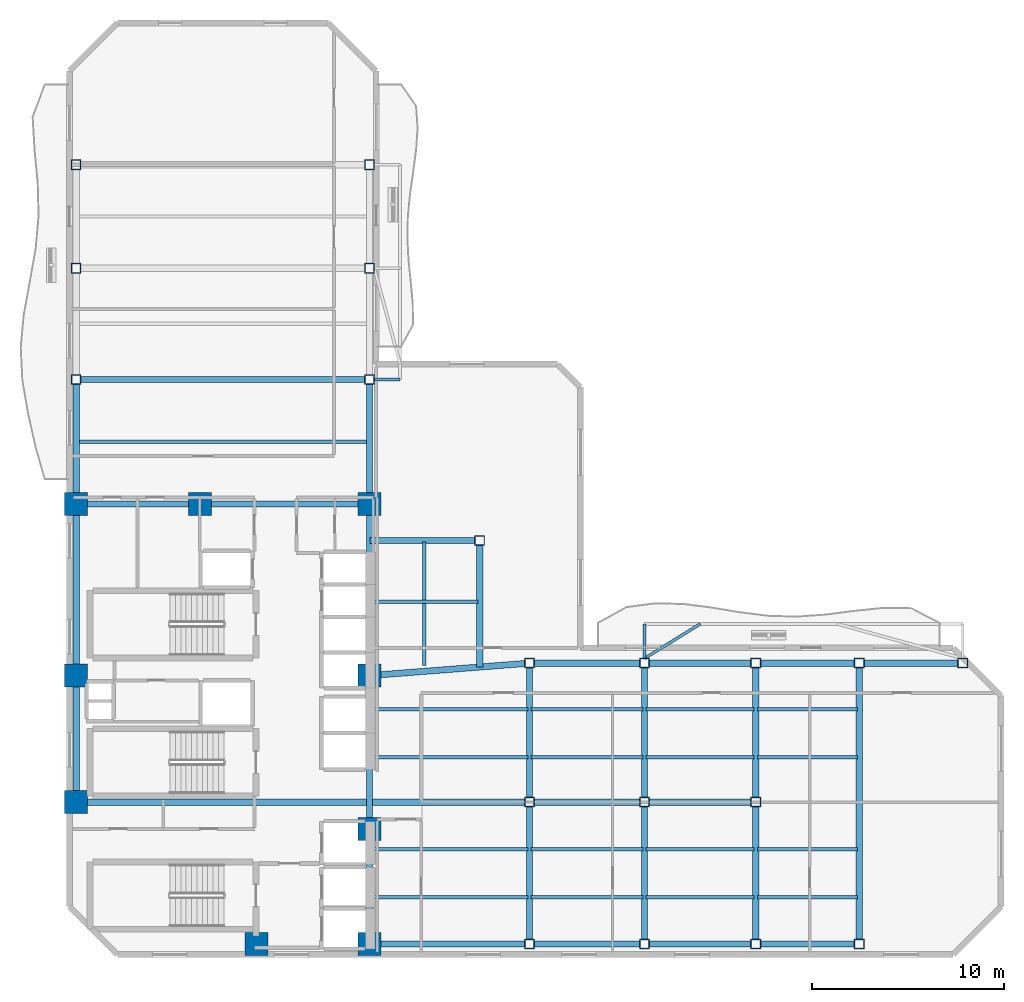
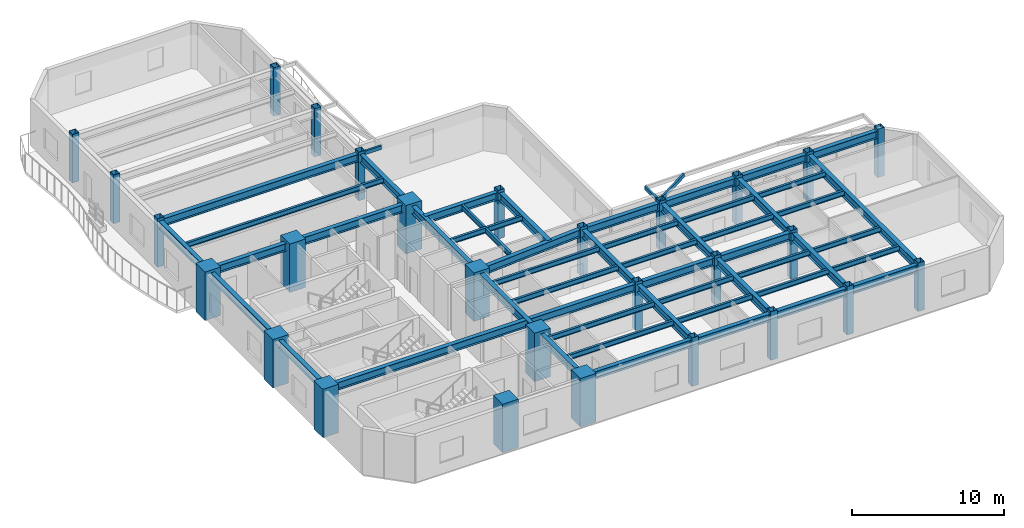
# One storey, part 1 of 9: 53 beams, 28 columns.
"""IFC4 building model written with IfcOpenShell, lengths in metres."""

from ifc_helpers import new_model, si_unit, direction, frame, origin, origin_2d, place, context, subcontext, project, spatial, rectangle, hollow_rectangle, i_section, extrude, material, material_profile, profile_set, type_object, element, save


model = new_model("IFC4")

# Units and contexts
model_context = context("Model", 3, precision=1e-05, world=origin(), true_north=direction((0.0, 1.0)))
body_context = subcontext(model_context, "Body", "Model", "MODEL_VIEW")
ifc_project = project(units=[si_unit("LENGTHUNIT", "METRE"), si_unit("AREAUNIT", "SQUARE_METRE"), si_unit("VOLUMEUNIT", "CUBIC_METRE"), si_unit("PLANEANGLEUNIT", "RADIAN"), si_unit("MASSUNIT", "GRAM", prefix="KILO")], contexts=[model_context])

# Site, building, storey
site_placement = place(None, origin())
site = spatial("IfcSite", under=ifc_project, at=site_placement, CompositionType="ELEMENT")
building_placement = place(site_placement, origin())
building = spatial("IfcBuilding", under=site, at=building_placement, Name="Mawjaban Terraces University", CompositionType="ELEMENT")
storey_placement = place(building_placement, frame((0.0, 0.0, 111.199951171875)))
storey = spatial("IfcBuildingStorey", under=building, at=storey_placement, Name="L26", CompositionType="ELEMENT", Elevation=111.199951171875)

# Columns
ifc_material_1 = material(Name="Concrete C60/75", Category="concrete")
ifc_material_profile_1 = material_profile(ifc_material_1, rectangle(XDim=1.199951171875, YDim=1.199951171875, at=origin_2d()), Name="RC1200X1200")
ifc_profile_set_1 = profile_set([ifc_material_profile_1], Name="Concrete C60/75")
column_type_1 = type_object("IfcColumnType", Name="Col_RC1200X1200", PredefinedType="COLUMN", material=ifc_profile_set_1)
for number, where, z_axis, x_axis, name in (
    (1, (31.75, 0.550048828125, 0.0), (0.0, 0.0, 1.0), (1.0, 0.0, 0.0), "L26 Column CC2"),
    (2, (37.64990234375, 0.550048828125, 0.0), (0.0, 0.0, 1.0), (1.0, 0.0, 0.0), "L26 Column CC3"),
    (3, (22.35009765625, 7.949951171875, 0.0), (0.0, 0.0, 1.0), (1.0, 0.0, 0.0), "L26 Column CC4"),
    (4, (37.64990234375, 6.550048828125, 0.0), (0.0, 0.0, 1.0), (1.0, 0.0, 0.0), "L26 Column CC5"),
    (5, (22.35009765625, 14.550048828125, 0.0), (0.0, 0.0, 1.0), (1.0, 0.0, 0.0), "L26 Column CC6"),
    (6, (37.64990234375, 14.550048828125, 0.0), (0.0, 0.0, 1.0), (1.0, 0.0, 0.0), "L26 Column CC7"),
    (7, (22.35009765625, 23.5, 0.0), (0.0, 0.0, 1.0), (1.0, 0.0, 0.0), "L26 Column CC8"),
    (8, (28.800048828125, 23.5, 0.0), (0.0, 0.0, 1.0), (1.0, 0.0, 0.0), "L26 Column CC9"),
    (9, (37.64990234375, 23.5, 0.0), (0.0, 0.0, 1.0), (1.0, 0.0, 0.0), "L26 Column CC10"),
):
    element("IfcColumn", number, at=place(storey_placement, frame(where, z_axis=z_axis, x_axis=x_axis)), inside=storey, type_object=column_type_1, Name=name, PredefinedType="COLUMN", context=body_context, shape_type="SweptSolid", body=[
        extrude(rectangle(XDim=1.199951171875, YDim=1.199951171875, at=origin_2d()), origin(), (0.0, 0.0, 1.0), 3.900146484375),
    ])
ifc_material_2 = material(Name="Steel EN 10210-1 S355J2H", Category="steel")
ifc_material_profile_2 = material_profile(ifc_material_2, hollow_rectangle(XDim=0.5, YDim=0.5, WallThickness=0.02490234375, at=origin_2d()), Name="SHS500X500X25")
ifc_profile_set_2 = profile_set([ifc_material_profile_2], Name="Steel EN 10210-1 S355J2H")
column_type_2 = type_object("IfcColumnType", Name="Col_SHS500X500X25", PredefinedType="COLUMN", material=ifc_profile_set_2)
for number, where, z_axis, x_axis, name in (
    (10, (46.0, 0.550048828125, 0.0), (0.0, 0.0, 1.0), (1.0, 0.0, 0.0), "L26 Column TE-460-005"),
    (11, (46.0, 7.949951171875, 0.0), (0.0, 0.0, 1.0), (1.0, 0.0, 0.0), "L26 Column TE-460-080"),
    (12, (46.0, 15.199951171875, 0.0), (0.0, 0.0, 1.0), (1.0, 0.0, 0.0), "L26 Column TE-460-152"),
    (13, (52.0, 0.550048828125, 0.0), (0.0, 0.0, 1.0), (1.0, 0.0, 0.0), "L26 Column TE-520-005"),
    (14, (52.0, 7.949951171875, 0.0), (0.0, 0.0, 1.0), (1.0, 0.0, 0.0), "L26 Column TE-520-080"),
    (15, (52.0, 15.199951171875, 0.0), (0.0, 0.0, 1.0), (1.0, 0.0, 0.0), "L26 Column TE-520-152"),
    (16, (57.800048828125, 0.550048828125, 0.0), (0.0, 0.0, 1.0), (1.0, 0.0, 0.0), "L26 Column TE-578-005"),
    (17, (57.800048828125, 7.949951171875, 0.0), (0.0, 0.0, 1.0), (1.0, 0.0, 0.0), "L26 Column TE-578-080"),
    (18, (57.800048828125, 15.199951171875, 0.0), (0.0, 0.0, 1.0), (1.0, 0.0, 0.0), "L26 Column TE-578-152"),
    (19, (63.199951171875, 0.550048828125, 0.0), (0.0, 0.0, 1.0), (1.0, 0.0, 0.0), "L26 Column TE-632-005"),
    (20, (63.199951171875, 15.199951171875, 0.0), (0.0, 0.0, 1.0), (1.0, 0.0, 0.0), "L26 Column TE-632-152"),
    (21, (68.60009765625, 15.199951171875, 0.0), (0.0, 0.0, 1.0), (1.0, 0.0, 0.0), "L26 Column TE-686-152"),
    (22, (22.35009765625, 30.0, 0.0), (0.0, 0.0, 1.0), (1.0, 0.0, 0.0), "L26 Column TN-223-300"),
    (23, (37.64990234375, 30.0, 0.0), (0.0, 0.0, 1.0), (1.0, 0.0, 0.0), "L26 Column TN-376-300"),
    (24, (22.35009765625, 35.800048828125, 0.0), (0.0, 0.0, 1.0), (1.0, 0.0, 0.0), "L26 Column TN-223-358"),
    (25, (37.64990234375, 35.800048828125, 0.0), (0.0, 0.0, 1.0), (1.0, 0.0, 0.0), "L26 Column TN-376-358"),
    (26, (22.35009765625, 41.199951171875, 0.0), (0.0, 0.0, 1.0), (1.0, 0.0, 0.0), "L26 Column TN-223-412"),
    (27, (37.64990234375, 41.199951171875, 0.0), (0.0, 0.0, 1.0), (1.0, 0.0, 0.0), "L26 Column TN-376-412"),
    (28, (43.39990234375, 21.60009765625, 0.0), (0.0, 0.0, 1.0), (1.0, 0.0, 0.0), "L26 Column TS-434-216"),
):
    element("IfcColumn", number, at=place(storey_placement, frame(where, z_axis=z_axis, x_axis=x_axis)), inside=storey, type_object=column_type_2, Name=name, PredefinedType="COLUMN", context=body_context, shape_type="SweptSolid", body=[
        extrude(hollow_rectangle(XDim=0.5, YDim=0.5, WallThickness=0.02490234375, at=origin_2d()), origin(), (0.0, 0.0, 1.0), 3.900146484375),
    ])

# Beams
ifc_material_profile_3 = material_profile(ifc_material_2, hollow_rectangle(XDim=0.14990234375, YDim=0.300048828125, WallThickness=0.012451171875, at=origin_2d()), Name="RHS300X150X12.5")
ifc_profile_set_3 = profile_set([ifc_material_profile_3], Name="Steel EN 10210-1 S355J2H")
beam_type_1 = type_object("IfcBeamType", Name="BalconyCantileverSpandrel_RHS", PredefinedType="SPANDREL", material=ifc_profile_set_3)
beam_1_placement = place(storey_placement, frame((52.0, 15.449951171875, 3.5400390625), z_axis=(0.0, 1.0, 0.0), x_axis=(-1.0, 0.0, 0.0)))
element("IfcBeam", 29, at=beam_1_placement, inside=storey, type_object=beam_type_1, Name="L26 Exterior Outrigger BAL-L27-N.1", PredefinedType="SPANDREL", context=body_context, shape_type="SweptSolid", body=[
    extrude(hollow_rectangle(XDim=0.14990234375, YDim=0.300048828125, WallThickness=0.012451171875, at=origin_2d()), origin(), (0.0, 0.0, 1.0), 1.800048828125),
])
beam_2_placement = place(storey_placement, frame((52.0, 15.449951171875, 3.5400390625), z_axis=(0.850359433477, 0.526202274698, 0.0), x_axis=(-0.526202274698, 0.850359433477, 0.0)))
element("IfcBeam", 30, at=beam_2_placement, inside=storey, type_object=beam_type_1, Name="L26 Exterior Diagonal Strut BAL-L27-N.1", PredefinedType="SPANDREL", context=body_context, shape_type="SweptSolid", body=[
    extrude(hollow_rectangle(XDim=0.14990234375, YDim=0.300048828125, WallThickness=0.012451171875, at=origin_2d()), origin(), (0.0, 0.0, 1.0), 3.4208984375),
])
beam_3_placement = place(storey_placement, frame((37.89990234375, 30.0, 3.5400390625), z_axis=(1.0, 0.0, 0.0), x_axis=(0.0, 1.0, 0.0)))
element("IfcBeam", 31, at=beam_3_placement, inside=storey, type_object=beam_type_1, Name="L26 Exterior Outrigger TER-L27-CLIMB.1", PredefinedType="SPANDREL", context=body_context, shape_type="SweptSolid", body=[
    extrude(hollow_rectangle(XDim=0.14990234375, YDim=0.300048828125, WallThickness=0.012451171875, at=origin_2d()), origin(), (0.0, 0.0, 1.0), 1.35009765625),
])
ifc_material_3 = material(Name="Steel ASTM A572 Grade 50", Category="steel")
ifc_material_profile_4 = material_profile(ifc_material_3, i_section(OverallWidth=0.324951171875, OverallDepth=0.615966796875, WebThickness=0.013916015625, FlangeThickness=0.021484375, at=origin_2d()), Name="W610X174")
ifc_profile_set_4 = profile_set([ifc_material_profile_4], Name="Steel ASTM A572 Grade 50")
beam_type_2 = type_object("IfcBeamType", Name="Beam_B_W610X174", PredefinedType="BEAM", material=ifc_profile_set_4)
beam_4_placement = place(storey_placement, frame((38.25, 0.550048828125, 3.382080078125), z_axis=(1.0, 0.0, 0.0), x_axis=(0.0, 1.0, 0.0)))
element("IfcBeam", 32, at=beam_4_placement, inside=storey, type_object=beam_type_2, Name="L26 Beam BM-L26-EW-01", PredefinedType="BEAM", context=body_context, shape_type="SweptSolid", body=[
    extrude(i_section(OverallWidth=0.324951171875, OverallDepth=0.615966796875, WebThickness=0.013916015625, FlangeThickness=0.021484375, at=origin_2d()), origin(), (0.0, 0.0, 1.0), 7.5),
])
beam_5_placement = place(storey_placement, frame((46.25, 0.550048828125, 3.382080078125), z_axis=(1.0, 0.0, 0.0), x_axis=(0.0, 1.0, 0.0)))
element("IfcBeam", 33, at=beam_5_placement, inside=storey, type_object=beam_type_2, Name="L26 Beam BM-L26-EW-02", PredefinedType="BEAM", context=body_context, shape_type="SweptSolid", body=[
    extrude(i_section(OverallWidth=0.324951171875, OverallDepth=0.615966796875, WebThickness=0.013916015625, FlangeThickness=0.021484375, at=origin_2d()), origin(), (0.0, 0.0, 1.0), 5.5),
])
beam_6_placement = place(storey_placement, frame((52.25, 0.550048828125, 3.382080078125), z_axis=(1.0, 0.0, 0.0), x_axis=(0.0, 1.0, 0.0)))
element("IfcBeam", 34, at=beam_6_placement, inside=storey, type_object=beam_type_2, Name="L26 Beam BM-L26-EW-03", PredefinedType="BEAM", context=body_context, shape_type="SweptSolid", body=[
    extrude(i_section(OverallWidth=0.324951171875, OverallDepth=0.615966796875, WebThickness=0.013916015625, FlangeThickness=0.021484375, at=origin_2d()), origin(), (0.0, 0.0, 1.0), 5.300048828125),
])
beam_7_placement = place(storey_placement, frame((58.050048828125, 0.550048828125, 3.382080078125), z_axis=(1.0, 0.0, 0.0), x_axis=(0.0, 1.0, 0.0)))
element("IfcBeam", 35, at=beam_7_placement, inside=storey, type_object=beam_type_2, Name="L26 Beam BM-L26-EW-04", PredefinedType="BEAM", context=body_context, shape_type="SweptSolid", body=[
    extrude(i_section(OverallWidth=0.324951171875, OverallDepth=0.615966796875, WebThickness=0.013916015625, FlangeThickness=0.021484375, at=origin_2d()), origin(), (0.0, 0.0, 1.0), 4.89990234375),
])
beam_8_placement = place(storey_placement, frame((22.949951171875, 7.949951171875, 3.382080078125), z_axis=(1.0, 0.0, 0.0), x_axis=(0.0, 1.0, 0.0)))
element("IfcBeam", 36, at=beam_8_placement, inside=storey, type_object=beam_type_2, Name="L26 Beam BM-L26-EW-05", PredefinedType="BEAM", context=body_context, shape_type="SweptSolid", body=[
    extrude(i_section(OverallWidth=0.324951171875, OverallDepth=0.615966796875, WebThickness=0.013916015625, FlangeThickness=0.021484375, at=origin_2d()), origin(), (0.0, 0.0, 1.0), 22.800048828125),
])
beam_9_placement = place(storey_placement, frame((46.25, 7.949951171875, 3.382080078125), z_axis=(1.0, 0.0, 0.0), x_axis=(0.0, 1.0, 0.0)))
element("IfcBeam", 37, at=beam_9_placement, inside=storey, type_object=beam_type_2, Name="L26 Beam BM-L26-EW-06", PredefinedType="BEAM", context=body_context, shape_type="SweptSolid", body=[
    extrude(i_section(OverallWidth=0.324951171875, OverallDepth=0.615966796875, WebThickness=0.013916015625, FlangeThickness=0.021484375, at=origin_2d()), origin(), (0.0, 0.0, 1.0), 5.5),
])
beam_10_placement = place(storey_placement, frame((52.25, 7.949951171875, 3.382080078125), z_axis=(1.0, 0.0, 0.0), x_axis=(0.0, 1.0, 0.0)))
element("IfcBeam", 38, at=beam_10_placement, inside=storey, type_object=beam_type_2, Name="L26 Beam BM-L26-EW-07", PredefinedType="BEAM", context=body_context, shape_type="SweptSolid", body=[
    extrude(i_section(OverallWidth=0.324951171875, OverallDepth=0.615966796875, WebThickness=0.013916015625, FlangeThickness=0.021484375, at=origin_2d()), origin(), (0.0, 0.0, 1.0), 5.300048828125),
])
beam_11_placement = place(storey_placement, frame((46.25, 15.199951171875, 3.382080078125), z_axis=(1.0, 0.0, 0.0), x_axis=(0.0, 1.0, 0.0)))
element("IfcBeam", 39, at=beam_11_placement, inside=storey, type_object=beam_type_2, Name="L26 Beam BM-L26-EW-08", PredefinedType="BEAM", context=body_context, shape_type="SweptSolid", body=[
    extrude(i_section(OverallWidth=0.324951171875, OverallDepth=0.615966796875, WebThickness=0.013916015625, FlangeThickness=0.021484375, at=origin_2d()), origin(), (0.0, 0.0, 1.0), 5.5),
])
beam_12_placement = place(storey_placement, frame((52.25, 15.199951171875, 3.382080078125), z_axis=(1.0, 0.0, 0.0), x_axis=(0.0, 1.0, 0.0)))
element("IfcBeam", 40, at=beam_12_placement, inside=storey, type_object=beam_type_2, Name="L26 Beam BM-L26-EW-09", PredefinedType="BEAM", context=body_context, shape_type="SweptSolid", body=[
    extrude(i_section(OverallWidth=0.324951171875, OverallDepth=0.615966796875, WebThickness=0.013916015625, FlangeThickness=0.021484375, at=origin_2d()), origin(), (0.0, 0.0, 1.0), 5.300048828125),
])
beam_13_placement = place(storey_placement, frame((58.050048828125, 15.199951171875, 3.382080078125), z_axis=(1.0, 0.0, 0.0), x_axis=(0.0, 1.0, 0.0)))
element("IfcBeam", 41, at=beam_13_placement, inside=storey, type_object=beam_type_2, Name="L26 Beam BM-L26-EW-10", PredefinedType="BEAM", context=body_context, shape_type="SweptSolid", body=[
    extrude(i_section(OverallWidth=0.324951171875, OverallDepth=0.615966796875, WebThickness=0.013916015625, FlangeThickness=0.021484375, at=origin_2d()), origin(), (0.0, 0.0, 1.0), 4.89990234375),
])
beam_14_placement = place(storey_placement, frame((63.449951171875, 15.199951171875, 3.382080078125), z_axis=(1.0, 0.0, 0.0), x_axis=(0.0, 1.0, 0.0)))
element("IfcBeam", 42, at=beam_14_placement, inside=storey, type_object=beam_type_2, Name="L26 Beam BM-L26-EW-11", PredefinedType="BEAM", context=body_context, shape_type="SweptSolid", body=[
    extrude(i_section(OverallWidth=0.324951171875, OverallDepth=0.615966796875, WebThickness=0.013916015625, FlangeThickness=0.021484375, at=origin_2d()), origin(), (0.0, 0.0, 1.0), 4.900146484375),
])
beam_15_placement = place(storey_placement, frame((22.949951171875, 23.5, 3.382080078125), z_axis=(1.0, 0.0, 0.0), x_axis=(0.0, 1.0, 0.0)))
element("IfcBeam", 43, at=beam_15_placement, inside=storey, type_object=beam_type_2, Name="L26 Beam BM-L26-EW-12", PredefinedType="BEAM", context=body_context, shape_type="SweptSolid", body=[
    extrude(i_section(OverallWidth=0.324951171875, OverallDepth=0.615966796875, WebThickness=0.013916015625, FlangeThickness=0.021484375, at=origin_2d()), origin(), (0.0, 0.0, 1.0), 5.25),
])
beam_16_placement = place(storey_placement, frame((29.39990234375, 23.5, 3.382080078125), z_axis=(1.0, 0.0, 0.0), x_axis=(0.0, 1.0, 0.0)))
element("IfcBeam", 44, at=beam_16_placement, inside=storey, type_object=beam_type_2, Name="L26 Beam BM-L26-EW-13", PredefinedType="BEAM", context=body_context, shape_type="SweptSolid", body=[
    extrude(i_section(OverallWidth=0.324951171875, OverallDepth=0.615966796875, WebThickness=0.013916015625, FlangeThickness=0.021484375, at=origin_2d()), origin(), (0.0, 0.0, 1.0), 7.650146484375),
])
beam_17_placement = place(storey_placement, frame((22.60009765625, 30.0, 3.382080078125), z_axis=(1.0, 0.0, 0.0), x_axis=(0.0, 1.0, 0.0)))
element("IfcBeam", 45, at=beam_17_placement, inside=storey, type_object=beam_type_2, Name="L26 Beam BM-L26-EW-14", PredefinedType="BEAM", context=body_context, shape_type="SweptSolid", body=[
    extrude(i_section(OverallWidth=0.324951171875, OverallDepth=0.615966796875, WebThickness=0.013916015625, FlangeThickness=0.021484375, at=origin_2d()), origin(), (0.0, 0.0, 1.0), 14.7998046875),
])
beam_18_placement = place(storey_placement, frame((22.35009765625, 8.550048828125, 3.382080078125), z_axis=(0.0, 1.0, 0.0), x_axis=(-1.0, 0.0, 0.0)))
element("IfcBeam", 46, at=beam_18_placement, inside=storey, type_object=beam_type_2, Name="L26 Beam BM-L26-NS-01", PredefinedType="BEAM", context=body_context, shape_type="SweptSolid", body=[
    extrude(i_section(OverallWidth=0.324951171875, OverallDepth=0.615966796875, WebThickness=0.013916015625, FlangeThickness=0.021484375, at=origin_2d()), origin(), (0.0, 0.0, 1.0), 5.39990234375),
])
beam_19_placement = place(storey_placement, frame((22.35009765625, 15.14990234375, 3.382080078125), z_axis=(0.0, 1.0, 0.0), x_axis=(-1.0, 0.0, 0.0)))
element("IfcBeam", 47, at=beam_19_placement, inside=storey, type_object=beam_type_2, Name="L26 Beam BM-L26-NS-02", PredefinedType="BEAM", context=body_context, shape_type="SweptSolid", body=[
    extrude(i_section(OverallWidth=0.324951171875, OverallDepth=0.615966796875, WebThickness=0.013916015625, FlangeThickness=0.021484375, at=origin_2d()), origin(), (0.0, 0.0, 1.0), 7.75),
])
beam_20_placement = place(storey_placement, frame((22.35009765625, 24.10009765625, 3.382080078125), z_axis=(0.0, 1.0, 0.0), x_axis=(-1.0, 0.0, 0.0)))
element("IfcBeam", 48, at=beam_20_placement, inside=storey, type_object=beam_type_2, Name="L26 Beam BM-L26-NS-03", PredefinedType="BEAM", context=body_context, shape_type="SweptSolid", body=[
    extrude(i_section(OverallWidth=0.324951171875, OverallDepth=0.615966796875, WebThickness=0.013916015625, FlangeThickness=0.021484375, at=origin_2d()), origin(), (0.0, 0.0, 1.0), 5.64990234375),
])
beam_21_placement = place(storey_placement, frame((37.64990234375, 1.14990234375, 3.382080078125), z_axis=(0.0, 1.0, 0.0), x_axis=(-1.0, 0.0, 0.0)))
element("IfcBeam", 49, at=beam_21_placement, inside=storey, type_object=beam_type_2, Name="L26 Beam BM-L26-NS-06", PredefinedType="BEAM", context=body_context, shape_type="SweptSolid", body=[
    extrude(i_section(OverallWidth=0.324951171875, OverallDepth=0.615966796875, WebThickness=0.013916015625, FlangeThickness=0.021484375, at=origin_2d()), origin(), (0.0, 0.0, 1.0), 4.800048828125),
])
beam_22_placement = place(storey_placement, frame((37.64990234375, 7.14990234375, 3.382080078125), z_axis=(0.0, 1.0, 0.0), x_axis=(-1.0, 0.0, 0.0)))
element("IfcBeam", 50, at=beam_22_placement, inside=storey, type_object=beam_type_2, Name="L26 Beam BM-L26-NS-07", PredefinedType="BEAM", context=body_context, shape_type="SweptSolid", body=[
    extrude(i_section(OverallWidth=0.324951171875, OverallDepth=0.615966796875, WebThickness=0.013916015625, FlangeThickness=0.021484375, at=origin_2d()), origin(), (0.0, 0.0, 1.0), 6.800048828125),
])
beam_23_placement = place(storey_placement, frame((37.64990234375, 15.14990234375, 3.382080078125), z_axis=(0.0, 1.0, 0.0), x_axis=(-1.0, 0.0, 0.0)))
element("IfcBeam", 51, at=beam_23_placement, inside=storey, type_object=beam_type_2, Name="L26 Beam BM-L26-NS-08", PredefinedType="BEAM", context=body_context, shape_type="SweptSolid", body=[
    extrude(i_section(OverallWidth=0.324951171875, OverallDepth=0.615966796875, WebThickness=0.013916015625, FlangeThickness=0.021484375, at=origin_2d()), origin(), (0.0, 0.0, 1.0), 7.75),
])
beam_24_placement = place(storey_placement, frame((37.64990234375, 24.10009765625, 3.382080078125), z_axis=(0.0, 1.0, 0.0), x_axis=(-1.0, 0.0, 0.0)))
element("IfcBeam", 52, at=beam_24_placement, inside=storey, type_object=beam_type_2, Name="L26 Beam BM-L26-NS-09", PredefinedType="BEAM", context=body_context, shape_type="SweptSolid", body=[
    extrude(i_section(OverallWidth=0.324951171875, OverallDepth=0.615966796875, WebThickness=0.013916015625, FlangeThickness=0.021484375, at=origin_2d()), origin(), (0.0, 0.0, 1.0), 5.64990234375),
])
beam_25_placement = place(storey_placement, frame((46.0, 0.800048828125, 3.382080078125), z_axis=(0.0, 1.0, 0.0), x_axis=(-1.0, 0.0, 0.0)))
element("IfcBeam", 53, at=beam_25_placement, inside=storey, type_object=beam_type_2, Name="L26 Beam BM-L26-NS-12", PredefinedType="BEAM", context=body_context, shape_type="SweptSolid", body=[
    extrude(i_section(OverallWidth=0.324951171875, OverallDepth=0.615966796875, WebThickness=0.013916015625, FlangeThickness=0.021484375, at=origin_2d()), origin(), (0.0, 0.0, 1.0), 6.89990234375),
])
beam_26_placement = place(storey_placement, frame((46.0, 8.199951171875, 3.382080078125), z_axis=(0.0, 1.0, 0.0), x_axis=(-1.0, 0.0, 0.0)))
element("IfcBeam", 54, at=beam_26_placement, inside=storey, type_object=beam_type_2, Name="L26 Beam BM-L26-NS-13", PredefinedType="BEAM", context=body_context, shape_type="SweptSolid", body=[
    extrude(i_section(OverallWidth=0.324951171875, OverallDepth=0.615966796875, WebThickness=0.013916015625, FlangeThickness=0.021484375, at=origin_2d()), origin(), (0.0, 0.0, 1.0), 6.75),
])
beam_27_placement = place(storey_placement, frame((52.0, 0.800048828125, 3.382080078125), z_axis=(0.0, 1.0, 0.0), x_axis=(-1.0, 0.0, 0.0)))
element("IfcBeam", 55, at=beam_27_placement, inside=storey, type_object=beam_type_2, Name="L26 Beam BM-L26-NS-14", PredefinedType="BEAM", context=body_context, shape_type="SweptSolid", body=[
    extrude(i_section(OverallWidth=0.324951171875, OverallDepth=0.615966796875, WebThickness=0.013916015625, FlangeThickness=0.021484375, at=origin_2d()), origin(), (0.0, 0.0, 1.0), 6.89990234375),
])
beam_28_placement = place(storey_placement, frame((52.0, 8.199951171875, 3.382080078125), z_axis=(0.0, 1.0, 0.0), x_axis=(-1.0, 0.0, 0.0)))
element("IfcBeam", 56, at=beam_28_placement, inside=storey, type_object=beam_type_2, Name="L26 Beam BM-L26-NS-15", PredefinedType="BEAM", context=body_context, shape_type="SweptSolid", body=[
    extrude(i_section(OverallWidth=0.324951171875, OverallDepth=0.615966796875, WebThickness=0.013916015625, FlangeThickness=0.021484375, at=origin_2d()), origin(), (0.0, 0.0, 1.0), 6.75),
])
beam_29_placement = place(storey_placement, frame((57.800048828125, 0.800048828125, 3.382080078125), z_axis=(0.0, 1.0, 0.0), x_axis=(-1.0, 0.0, 0.0)))
element("IfcBeam", 57, at=beam_29_placement, inside=storey, type_object=beam_type_2, Name="L26 Beam BM-L26-NS-16", PredefinedType="BEAM", context=body_context, shape_type="SweptSolid", body=[
    extrude(i_section(OverallWidth=0.324951171875, OverallDepth=0.615966796875, WebThickness=0.013916015625, FlangeThickness=0.021484375, at=origin_2d()), origin(), (0.0, 0.0, 1.0), 6.89990234375),
])
beam_30_placement = place(storey_placement, frame((57.800048828125, 8.199951171875, 3.382080078125), z_axis=(0.0, 1.0, 0.0), x_axis=(-1.0, 0.0, 0.0)))
element("IfcBeam", 58, at=beam_30_placement, inside=storey, type_object=beam_type_2, Name="L26 Beam BM-L26-NS-17", PredefinedType="BEAM", context=body_context, shape_type="SweptSolid", body=[
    extrude(i_section(OverallWidth=0.324951171875, OverallDepth=0.615966796875, WebThickness=0.013916015625, FlangeThickness=0.021484375, at=origin_2d()), origin(), (0.0, 0.0, 1.0), 6.75),
])
beam_31_placement = place(storey_placement, frame((63.199951171875, 0.800048828125, 3.382080078125), z_axis=(0.0, 1.0, 0.0), x_axis=(-1.0, 0.0, 0.0)))
element("IfcBeam", 59, at=beam_31_placement, inside=storey, type_object=beam_type_2, Name="L26 Beam BM-L26-NS-18", PredefinedType="BEAM", context=body_context, shape_type="SweptSolid", body=[
    extrude(i_section(OverallWidth=0.324951171875, OverallDepth=0.615966796875, WebThickness=0.013916015625, FlangeThickness=0.021484375, at=origin_2d()), origin(), (0.0, 0.0, 1.0), 14.14990234375),
])
beam_32_placement = place(storey_placement, frame((38.248046875, 14.596923828125, 3.382080078125), z_axis=(0.996984614132, 0.077599479273, 0.0), x_axis=(-0.077599479273, 0.996984614132, 0.0)))
element("IfcBeam", 60, at=beam_32_placement, inside=storey, type_object=beam_type_2, Name="L26 Beam BM-L26-CTIE", PredefinedType="BEAM", context=body_context, shape_type="SweptSolid", body=[
    extrude(i_section(OverallWidth=0.324951171875, OverallDepth=0.615966796875, WebThickness=0.013916015625, FlangeThickness=0.021484375, at=origin_2d()), origin(), (0.0, 0.0, 1.0), 7.525634765625),
])
beam_33_placement = place(storey_placement, frame((37.679931640625, 21.60009765625, 3.382080078125), z_axis=(1.0, 0.0, 0.0), x_axis=(0.0, 1.0, 0.0)))
element("IfcBeam", 61, at=beam_33_placement, inside=storey, type_object=beam_type_2, Name="L26 Spur Tie Girder West", PredefinedType="BEAM", context=body_context, shape_type="SweptSolid", body=[
    extrude(i_section(OverallWidth=0.324951171875, OverallDepth=0.615966796875, WebThickness=0.013916015625, FlangeThickness=0.021484375, at=origin_2d()), origin(), (0.0, 0.0, 1.0), 5.469970703125),
])
beam_34_placement = place(storey_placement, frame((43.39990234375, 15.0, 3.382080078125), z_axis=(0.0, 1.0, 0.0), x_axis=(-1.0, 0.0, 0.0)))
element("IfcBeam", 62, at=beam_34_placement, inside=storey, type_object=beam_type_2, Name="L26 Spur Tie Girder South", PredefinedType="BEAM", context=body_context, shape_type="SweptSolid", body=[
    extrude(i_section(OverallWidth=0.324951171875, OverallDepth=0.615966796875, WebThickness=0.013916015625, FlangeThickness=0.021484375, at=origin_2d()), origin(), (0.0, 0.0, 1.0), 6.35009765625),
])
ifc_material_profile_5 = material_profile(ifc_material_3, i_section(OverallWidth=0.179931640625, OverallDepth=0.4130859375, WebThickness=0.009765625, FlangeThickness=0.01611328125, at=origin_2d()), Name="W410X74")
ifc_profile_set_5 = profile_set([ifc_material_profile_5], Name="Steel ASTM A572 Grade 50")
beam_type_3 = type_object("IfcBeamType", Name="Beam_J_W410X74", PredefinedType="JOIST", material=ifc_profile_set_5)
beam_35_placement = place(storey_placement, frame((37.72998046875, 3.0, 3.483154296875), z_axis=(1.0, 0.0, 0.0), x_axis=(0.0, 1.0, 0.0)))
element("IfcBeam", 63, at=beam_35_placement, inside=storey, type_object=beam_type_3, Name="L26 Composite Joist JST-L26-01", PredefinedType="JOIST", context=body_context, shape_type="SweptSolid", body=[
    extrude(i_section(OverallWidth=0.179931640625, OverallDepth=0.4130859375, WebThickness=0.009765625, FlangeThickness=0.01611328125, at=origin_2d()), origin(), (0.0, 0.0, 1.0), 8.18994140625),
])
beam_36_placement = place(storey_placement, frame((46.080078125, 3.0, 3.483154296875), z_axis=(1.0, 0.0, 0.0), x_axis=(0.0, 1.0, 0.0)))
element("IfcBeam", 64, at=beam_36_placement, inside=storey, type_object=beam_type_3, Name="L26 Composite Joist JST-L26-02", PredefinedType="JOIST", context=body_context, shape_type="SweptSolid", body=[
    extrude(i_section(OverallWidth=0.179931640625, OverallDepth=0.4130859375, WebThickness=0.009765625, FlangeThickness=0.01611328125, at=origin_2d()), origin(), (0.0, 0.0, 1.0), 5.83984375),
])
beam_37_placement = place(storey_placement, frame((52.080078125, 3.0, 3.483154296875), z_axis=(1.0, 0.0, 0.0), x_axis=(0.0, 1.0, 0.0)))
element("IfcBeam", 65, at=beam_37_placement, inside=storey, type_object=beam_type_3, Name="L26 Composite Joist JST-L26-03", PredefinedType="JOIST", context=body_context, shape_type="SweptSolid", body=[
    extrude(i_section(OverallWidth=0.179931640625, OverallDepth=0.4130859375, WebThickness=0.009765625, FlangeThickness=0.01611328125, at=origin_2d()), origin(), (0.0, 0.0, 1.0), 5.639892578125),
])
beam_38_placement = place(storey_placement, frame((57.8798828125, 3.0, 3.483154296875), z_axis=(1.0, 0.0, 0.0), x_axis=(0.0, 1.0, 0.0)))
element("IfcBeam", 66, at=beam_38_placement, inside=storey, type_object=beam_type_3, Name="L26 Composite Joist JST-L26-04", PredefinedType="JOIST", context=body_context, shape_type="SweptSolid", body=[
    extrude(i_section(OverallWidth=0.179931640625, OverallDepth=0.4130859375, WebThickness=0.009765625, FlangeThickness=0.01611328125, at=origin_2d()), origin(), (0.0, 0.0, 1.0), 5.240234375),
])
beam_39_placement = place(storey_placement, frame((37.72998046875, 5.5, 3.483154296875), z_axis=(1.0, 0.0, 0.0), x_axis=(0.0, 1.0, 0.0)))
element("IfcBeam", 67, at=beam_39_placement, inside=storey, type_object=beam_type_3, Name="L26 Composite Joist JST-L26-05", PredefinedType="JOIST", context=body_context, shape_type="SweptSolid", body=[
    extrude(i_section(OverallWidth=0.179931640625, OverallDepth=0.4130859375, WebThickness=0.009765625, FlangeThickness=0.01611328125, at=origin_2d()), origin(), (0.0, 0.0, 1.0), 8.18994140625),
])
beam_40_placement = place(storey_placement, frame((46.080078125, 5.5, 3.483154296875), z_axis=(1.0, 0.0, 0.0), x_axis=(0.0, 1.0, 0.0)))
element("IfcBeam", 68, at=beam_40_placement, inside=storey, type_object=beam_type_3, Name="L26 Composite Joist JST-L26-06", PredefinedType="JOIST", context=body_context, shape_type="SweptSolid", body=[
    extrude(i_section(OverallWidth=0.179931640625, OverallDepth=0.4130859375, WebThickness=0.009765625, FlangeThickness=0.01611328125, at=origin_2d()), origin(), (0.0, 0.0, 1.0), 5.83984375),
])
beam_41_placement = place(storey_placement, frame((52.080078125, 5.5, 3.483154296875), z_axis=(1.0, 0.0, 0.0), x_axis=(0.0, 1.0, 0.0)))
element("IfcBeam", 69, at=beam_41_placement, inside=storey, type_object=beam_type_3, Name="L26 Composite Joist JST-L26-07", PredefinedType="JOIST", context=body_context, shape_type="SweptSolid", body=[
    extrude(i_section(OverallWidth=0.179931640625, OverallDepth=0.4130859375, WebThickness=0.009765625, FlangeThickness=0.01611328125, at=origin_2d()), origin(), (0.0, 0.0, 1.0), 5.639892578125),
])
beam_42_placement = place(storey_placement, frame((57.8798828125, 5.5, 3.483154296875), z_axis=(1.0, 0.0, 0.0), x_axis=(0.0, 1.0, 0.0)))
element("IfcBeam", 70, at=beam_42_placement, inside=storey, type_object=beam_type_3, Name="L26 Composite Joist JST-L26-08", PredefinedType="JOIST", context=body_context, shape_type="SweptSolid", body=[
    extrude(i_section(OverallWidth=0.179931640625, OverallDepth=0.4130859375, WebThickness=0.009765625, FlangeThickness=0.01611328125, at=origin_2d()), origin(), (0.0, 0.0, 1.0), 5.240234375),
])
beam_43_placement = place(storey_placement, frame((37.72998046875, 10.300048828125, 3.483154296875), z_axis=(1.0, 0.0, 0.0), x_axis=(0.0, 1.0, 0.0)))
element("IfcBeam", 71, at=beam_43_placement, inside=storey, type_object=beam_type_3, Name="L26 Composite Joist JST-L26-09", PredefinedType="JOIST", context=body_context, shape_type="SweptSolid", body=[
    extrude(i_section(OverallWidth=0.179931640625, OverallDepth=0.4130859375, WebThickness=0.009765625, FlangeThickness=0.01611328125, at=origin_2d()), origin(), (0.0, 0.0, 1.0), 8.18994140625),
])
beam_44_placement = place(storey_placement, frame((46.080078125, 10.300048828125, 3.483154296875), z_axis=(1.0, 0.0, 0.0), x_axis=(0.0, 1.0, 0.0)))
element("IfcBeam", 72, at=beam_44_placement, inside=storey, type_object=beam_type_3, Name="L26 Composite Joist JST-L26-10", PredefinedType="JOIST", context=body_context, shape_type="SweptSolid", body=[
    extrude(i_section(OverallWidth=0.179931640625, OverallDepth=0.4130859375, WebThickness=0.009765625, FlangeThickness=0.01611328125, at=origin_2d()), origin(), (0.0, 0.0, 1.0), 5.83984375),
])
beam_45_placement = place(storey_placement, frame((52.080078125, 10.300048828125, 3.483154296875), z_axis=(1.0, 0.0, 0.0), x_axis=(0.0, 1.0, 0.0)))
element("IfcBeam", 73, at=beam_45_placement, inside=storey, type_object=beam_type_3, Name="L26 Composite Joist JST-L26-11", PredefinedType="JOIST", context=body_context, shape_type="SweptSolid", body=[
    extrude(i_section(OverallWidth=0.179931640625, OverallDepth=0.4130859375, WebThickness=0.009765625, FlangeThickness=0.01611328125, at=origin_2d()), origin(), (0.0, 0.0, 1.0), 5.639892578125),
])
beam_46_placement = place(storey_placement, frame((57.8798828125, 10.300048828125, 3.483154296875), z_axis=(1.0, 0.0, 0.0), x_axis=(0.0, 1.0, 0.0)))
element("IfcBeam", 74, at=beam_46_placement, inside=storey, type_object=beam_type_3, Name="L26 Composite Joist JST-L26-12", PredefinedType="JOIST", context=body_context, shape_type="SweptSolid", body=[
    extrude(i_section(OverallWidth=0.179931640625, OverallDepth=0.4130859375, WebThickness=0.009765625, FlangeThickness=0.01611328125, at=origin_2d()), origin(), (0.0, 0.0, 1.0), 5.240234375),
])
beam_47_placement = place(storey_placement, frame((37.72998046875, 12.800048828125, 3.483154296875), z_axis=(1.0, 0.0, 0.0), x_axis=(0.0, 1.0, 0.0)))
element("IfcBeam", 75, at=beam_47_placement, inside=storey, type_object=beam_type_3, Name="L26 Composite Joist JST-L26-13", PredefinedType="JOIST", context=body_context, shape_type="SweptSolid", body=[
    extrude(i_section(OverallWidth=0.179931640625, OverallDepth=0.4130859375, WebThickness=0.009765625, FlangeThickness=0.01611328125, at=origin_2d()), origin(), (0.0, 0.0, 1.0), 8.18994140625),
])
beam_48_placement = place(storey_placement, frame((46.080078125, 12.800048828125, 3.483154296875), z_axis=(1.0, 0.0, 0.0), x_axis=(0.0, 1.0, 0.0)))
element("IfcBeam", 76, at=beam_48_placement, inside=storey, type_object=beam_type_3, Name="L26 Composite Joist JST-L26-14", PredefinedType="JOIST", context=body_context, shape_type="SweptSolid", body=[
    extrude(i_section(OverallWidth=0.179931640625, OverallDepth=0.4130859375, WebThickness=0.009765625, FlangeThickness=0.01611328125, at=origin_2d()), origin(), (0.0, 0.0, 1.0), 5.83984375),
])
beam_49_placement = place(storey_placement, frame((52.080078125, 12.800048828125, 3.483154296875), z_axis=(1.0, 0.0, 0.0), x_axis=(0.0, 1.0, 0.0)))
element("IfcBeam", 77, at=beam_49_placement, inside=storey, type_object=beam_type_3, Name="L26 Composite Joist JST-L26-15", PredefinedType="JOIST", context=body_context, shape_type="SweptSolid", body=[
    extrude(i_section(OverallWidth=0.179931640625, OverallDepth=0.4130859375, WebThickness=0.009765625, FlangeThickness=0.01611328125, at=origin_2d()), origin(), (0.0, 0.0, 1.0), 5.639892578125),
])
beam_50_placement = place(storey_placement, frame((57.8798828125, 12.800048828125, 3.483154296875), z_axis=(1.0, 0.0, 0.0), x_axis=(0.0, 1.0, 0.0)))
element("IfcBeam", 78, at=beam_50_placement, inside=storey, type_object=beam_type_3, Name="L26 Composite Joist JST-L26-16", PredefinedType="JOIST", context=body_context, shape_type="SweptSolid", body=[
    extrude(i_section(OverallWidth=0.179931640625, OverallDepth=0.4130859375, WebThickness=0.009765625, FlangeThickness=0.01611328125, at=origin_2d()), origin(), (0.0, 0.0, 1.0), 5.240234375),
])
beam_51_placement = place(storey_placement, frame((37.72998046875, 18.39990234375, 3.483154296875), z_axis=(1.0, 0.0, 0.0), x_axis=(0.0, 1.0, 0.0)))
element("IfcBeam", 79, at=beam_51_placement, inside=storey, type_object=beam_type_3, Name="L26 Composite Joist JST-L26-17", PredefinedType="JOIST", context=body_context, shape_type="SweptSolid", body=[
    extrude(i_section(OverallWidth=0.179931640625, OverallDepth=0.4130859375, WebThickness=0.009765625, FlangeThickness=0.01611328125, at=origin_2d()), origin(), (0.0, 0.0, 1.0), 5.590087890625),
])
beam_52_placement = place(storey_placement, frame((22.429931640625, 26.75, 3.483154296875), z_axis=(1.0, 0.0, 0.0), x_axis=(0.0, 1.0, 0.0)))
element("IfcBeam", 80, at=beam_52_placement, inside=storey, type_object=beam_type_3, Name="L26 Composite Joist JST-L26-18", PredefinedType="JOIST", context=body_context, shape_type="SweptSolid", body=[
    extrude(i_section(OverallWidth=0.179931640625, OverallDepth=0.4130859375, WebThickness=0.009765625, FlangeThickness=0.01611328125, at=origin_2d()), origin(), (0.0, 0.0, 1.0), 15.14013671875),
])
beam_53_placement = place(storey_placement, frame((40.5, 15.080078125, 3.483154296875), z_axis=(0.0, 1.0, 0.0), x_axis=(-1.0, 0.0, 0.0)))
element("IfcBeam", 81, at=beam_53_placement, inside=storey, type_object=beam_type_3, Name="L26 Composite Joist JST-L26-NS-21", PredefinedType="JOIST", context=body_context, shape_type="SweptSolid", body=[
    extrude(i_section(OverallWidth=0.179931640625, OverallDepth=0.4130859375, WebThickness=0.009765625, FlangeThickness=0.01611328125, at=origin_2d()), origin(), (0.0, 0.0, 1.0), 6.43994140625),
])

save(model, "model.ifc")
